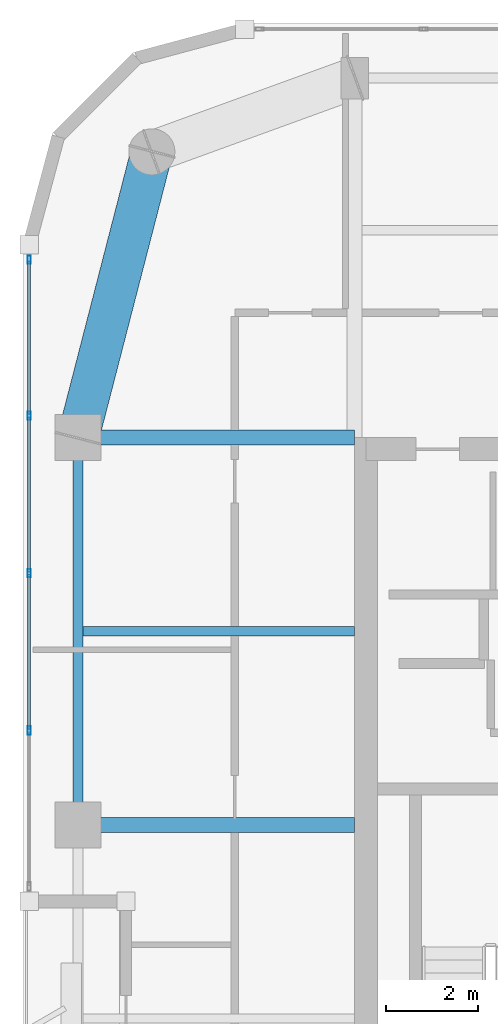
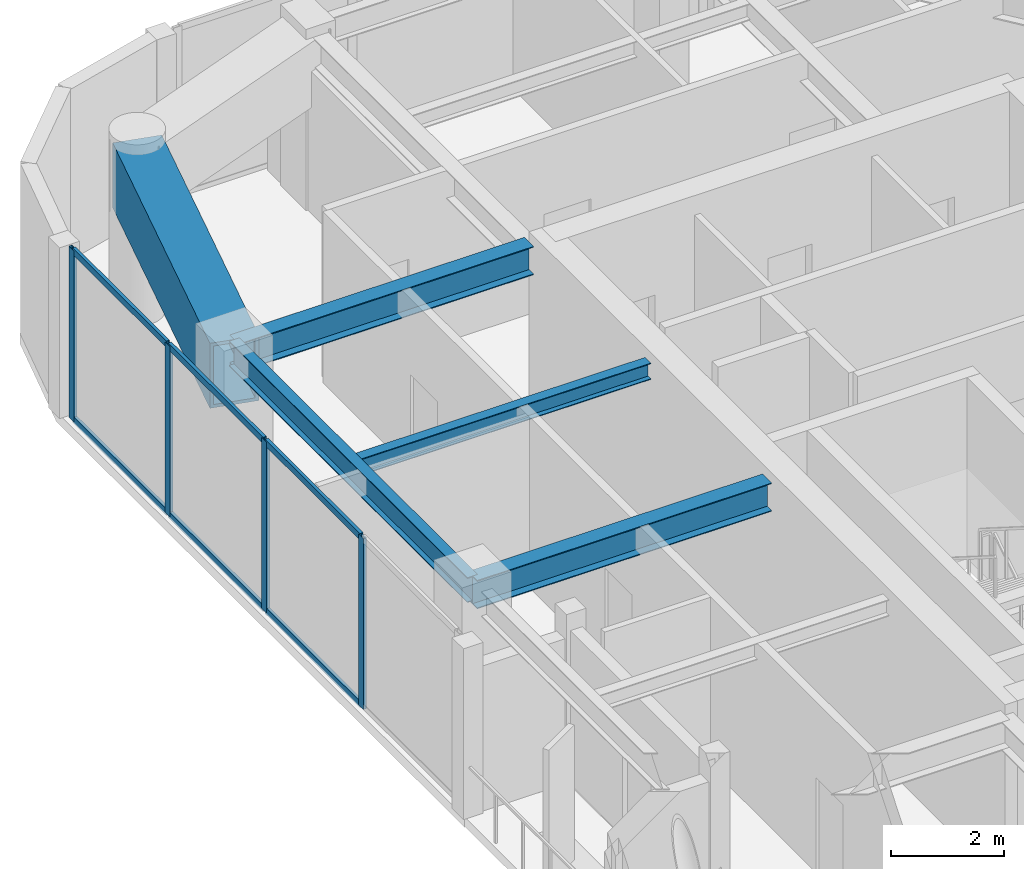
# One storey, part 4 of 15: 10 members, 5 beams, 1 element without a shape of its own.
"""IFC4 building model written with IfcOpenShell, lengths in metres."""

from ifc_helpers import new_model, si_unit, direction, frame, origin, origin_2d, place, context, subcontext, project, spatial, hollow_rectangle, i_section, extrude, material, layer, layer_set, material_profile, profile_set, type_object, element, aggregate, save


model = new_model("IFC4")

# Units and contexts
model_context = context("Model", 3, precision=1e-05, world=origin(), true_north=direction((0.0, 1.0)))
body_context = subcontext(model_context, "Body", "Model", "MODEL_VIEW")
ifc_project = project(units=[si_unit("LENGTHUNIT", "METRE"), si_unit("AREAUNIT", "SQUARE_METRE"), si_unit("VOLUMEUNIT", "CUBIC_METRE"), si_unit("PLANEANGLEUNIT", "RADIAN"), si_unit("MASSUNIT", "GRAM", prefix="KILO")], contexts=[model_context])

# Site, building, storey
site_placement = place(None, origin())
site = spatial("IfcSite", under=ifc_project, at=site_placement, CompositionType="ELEMENT")
building_placement = place(site_placement, origin())
building = spatial("IfcBuilding", under=site, at=building_placement, Name="Kiyonajd Concourse Tower", CompositionType="ELEMENT")
storey_placement = place(building_placement, frame((0.0, 0.0, 266.699951171875)))
storey = spatial("IfcBuildingStorey", under=building, at=storey_placement, Name="L67", CompositionType="ELEMENT", Elevation=266.699951171875)

# Beams
ifc_material_1 = material(Name="Steel ASTM A992 Grade 50", Category="steel")
ifc_material_profile_1 = material_profile(ifc_material_1, i_section(OverallWidth=0.205078125, OverallDepth=0.35400390625, WebThickness=0.009521484375, FlangeThickness=0.016845703125, at=origin_2d()), Name="W360X79")
ifc_profile_set_1 = profile_set([ifc_material_profile_1], Name="Steel ASTM A992 Grade 50")
beam_type_1 = type_object("IfcBeamType", Name="BM-JST-360", PredefinedType="JOIST", material=ifc_profile_set_1)
beam_1_placement = place(storey_placement, frame((26.505615234375, 40.199951171875, 3.5029296875), z_axis=(1.0, 0.0, 0.0), x_axis=(0.0, 1.0, 0.0)))
element("IfcBeam", 1, at=beam_1_placement, inside=storey, type_object=beam_type_1, Name="L67 West Secondary Floor Joist", PredefinedType="JOIST", context=body_context, shape_type="SweptSolid", body=[
    extrude(i_section(OverallWidth=0.205078125, OverallDepth=0.35400390625, WebThickness=0.009521484375, FlangeThickness=0.016845703125, at=origin_2d()), origin(), (0.0, 0.0, 1.0), 5.894287109375),
])
ifc_material_profile_2 = material_profile(ifc_material_1, i_section(OverallWidth=0.2109375, OverallDepth=0.5390625, WebThickness=0.01171875, FlangeThickness=0.018798828125, at=origin_2d()), Name="W530X109")
ifc_profile_set_2 = profile_set([ifc_material_profile_2], Name="Steel ASTM A992 Grade 50")
beam_type_2 = type_object("IfcBeamType", Name="BM-SPAN-530B", PredefinedType="SPANDREL", material=ifc_profile_set_2)
beam_2_placement = place(storey_placement, frame((26.39990234375, 44.39990234375, 3.41064453125), z_axis=(0.0, -1.0, 0.0), x_axis=(1.0, 0.0, 0.0)))
element("IfcBeam", 2, at=beam_2_placement, inside=storey, type_object=beam_type_2, Name="L67 Perimeter Bundled Tube Spandrel", PredefinedType="SPANDREL", context=body_context, shape_type="SweptSolid", body=[
    extrude(i_section(OverallWidth=0.2109375, OverallDepth=0.5390625, WebThickness=0.01171875, FlangeThickness=0.018798828125, at=origin_2d()), origin(), (0.0, 0.0, 1.0), 8.39990234375),
])
ifc_material_profile_3 = material_profile(ifc_material_1, i_section(OverallWidth=0.323974609375, OverallDepth=0.611083984375, WebThickness=0.0126953125, FlangeThickness=0.01904296875, at=origin_2d()), Name="W610X155")
ifc_profile_set_3 = profile_set([ifc_material_profile_3], Name="Steel ASTM A992 Grade 50")
beam_type_3 = type_object("IfcBeamType", Name="BM-TWR-610B", PredefinedType="BEAM", material=ifc_profile_set_3)
for number, where, z_axis, x_axis, name in (
    (3, (26.39990234375, 36.0, 3.37451171875), (1.0, 0.0, 0.0), (0.0, 1.0, 0.0), "L67 West Lease Girder"),
    (4, (26.39990234375, 44.39990234375, 3.37451171875), (1.0, 0.0, 0.0), (0.0, 1.0, 0.0), "L67 West Lease Girder"),
):
    element("IfcBeam", number, at=place(storey_placement, frame(where, z_axis=z_axis, x_axis=x_axis)), inside=storey, type_object=beam_type_3, Name=name, PredefinedType="BEAM", context=body_context, shape_type="SweptSolid", body=[
        extrude(i_section(OverallWidth=0.323974609375, OverallDepth=0.611083984375, WebThickness=0.0126953125, FlangeThickness=0.01904296875, at=origin_2d()), origin(), (0.0, 0.0, 1.0), 6.0),
    ])
ifc_material_2 = material(Name="Steel ASTM A572 Grade 50", Category="steel")
ifc_material_profile_4 = material_profile(ifc_material_2, hollow_rectangle(XDim=0.89990234375, YDim=1.39990234375, WallThickness=0.070068359375, at=origin_2d()), Name="BOX-1400x900x70")
ifc_profile_set_4 = profile_set([ifc_material_profile_4], Name="Steel ASTM A572 Grade 50")
beam_type_4 = type_object("IfcBeamType", Name="BM-XFER-1400", PredefinedType="BEAM", material=ifc_profile_set_4)
beam_3_placement = place(storey_placement, frame((28.0, 50.60009765625, 2.97998046875), z_axis=(-0.249884937687, -0.968275538221, 0.0), x_axis=(0.968275538221, -0.249884937687, 0.0)))
element("IfcBeam", 5, at=beam_3_placement, inside=storey, type_object=beam_type_4, Name="L67 Perimeter Bundled Tube Spandrel", PredefinedType="BEAM", context=body_context, shape_type="SweptSolid", body=[
    extrude(hollow_rectangle(XDim=0.89990234375, YDim=1.39990234375, WallThickness=0.070068359375, at=origin_2d()), origin(), (0.0, 0.0, 1.0), 6.4033203125),
])

# Curtain wall, members
ifc_material_3 = material(Name="Thermally Broken Anodised Aluminium", Category="aluminium")
ifc_layer = layer(ifc_material_3, 0.179931640625)
ifc_layer_set = layer_set([ifc_layer], Name="Thermally Broken Anodised Aluminium")
curtain_wall_type = type_object("IfcCurtainWallType", Name="CW-SYS-04", PredefinedType="NOTDEFINED", material=ifc_layer_set)
curtain_wall_placement = place(storey_placement, origin())
curtain_wall = element("IfcCurtainWall", 6, at=curtain_wall_placement, inside=storey, type_object=curtain_wall_type, Name="L67 Unitised Curtain Wall CW4", PredefinedType="NOTDEFINED")
ifc_material_profile_5 = material_profile(ifc_material_3, hollow_rectangle(XDim=0.06494140625, YDim=0.179931640625, WallThickness=0.00390625, at=origin_2d()), Name="MULL-65x180")
ifc_profile_set_5 = profile_set([ifc_material_profile_5], Name="Thermally Broken Anodised Aluminium")
member_type_1 = type_object("IfcMemberType", Name="MB-CW-MULL1", PredefinedType="MULLION", material=ifc_profile_set_5)
member_1_placement = place(storey_placement, frame((25.340087890625, 38.04541015625, 0.0), z_axis=(0.0, 0.0, 1.0), x_axis=(-1.0, 0.0, 0.0)))
member_1 = element("IfcMember", 7, at=member_1_placement, type_object=member_type_1, Name="CW4 mullion 2", PredefinedType="MULLION", context=body_context, shape_type="SweptSolid", body=[
    extrude(hollow_rectangle(XDim=0.06494140625, YDim=0.179931640625, WallThickness=0.00390625, at=origin_2d()), origin(), (0.0, 0.0, 1.0), 3.679931640625),
])
member_2_placement = place(storey_placement, frame((25.340087890625, 41.460693359375, 0.0), z_axis=(0.0, 0.0, 1.0), x_axis=(-1.0, 0.0, 0.0)))
member_2 = element("IfcMember", 8, at=member_2_placement, type_object=member_type_1, Name="CW4 mullion 3", PredefinedType="MULLION", context=body_context, shape_type="SweptSolid", body=[
    extrude(hollow_rectangle(XDim=0.06494140625, YDim=0.179931640625, WallThickness=0.00390625, at=origin_2d()), origin(), (0.0, 0.0, 1.0), 3.679931640625),
])
member_3_placement = place(storey_placement, frame((25.340087890625, 44.876220703125, 0.0), z_axis=(0.0, 0.0, 1.0), x_axis=(-1.0, 0.0, 0.0)))
member_3 = element("IfcMember", 9, at=member_3_placement, type_object=member_type_1, Name="CW4 mullion 4", PredefinedType="MULLION", context=body_context, shape_type="SweptSolid", body=[
    extrude(hollow_rectangle(XDim=0.06494140625, YDim=0.179931640625, WallThickness=0.00390625, at=origin_2d()), origin(), (0.0, 0.0, 1.0), 3.679931640625),
])
member_4_placement = place(storey_placement, frame((25.340087890625, 48.259033203125, 0.0), z_axis=(0.0, 0.0, 1.0), x_axis=(-1.0, 0.0, 0.0)))
member_4 = element("IfcMember", 10, at=member_4_placement, type_object=member_type_1, Name="CW4 mullion 5", PredefinedType="MULLION", context=body_context, shape_type="SweptSolid", body=[
    extrude(hollow_rectangle(XDim=0.06494140625, YDim=0.179931640625, WallThickness=0.00390625, at=origin_2d()), origin(), (0.0, 0.0, 1.0), 3.679931640625),
])
ifc_material_profile_6 = material_profile(ifc_material_3, hollow_rectangle(XDim=0.06494140625, YDim=0.139892578125, WallThickness=0.00390625, at=origin_2d()), Name="TRAN-65x140")
ifc_profile_set_6 = profile_set([ifc_material_profile_6], Name="Thermally Broken Anodised Aluminium")
member_type_2 = type_object("IfcMemberType", Name="MB-CW-TRAN1", PredefinedType="USERDEFINED", material=ifc_profile_set_6)
member_5_placement = place(storey_placement, frame((25.340087890625, 38.077880859375, 0.032470703125), z_axis=(0.0, 1.0, 0.0), x_axis=(-1.0, 0.0, 0.0)))
member_5 = element("IfcMember", 11, at=member_5_placement, type_object=member_type_2, Name="CW4 transom 2.1", ObjectType="TRANSOM", PredefinedType="USERDEFINED", context=body_context, shape_type="SweptSolid", body=[
    extrude(hollow_rectangle(XDim=0.06494140625, YDim=0.139892578125, WallThickness=0.00390625, at=origin_2d()), origin(), (0.0, 0.0, 1.0), 3.350341796875),
])
member_6_placement = place(storey_placement, frame((25.340087890625, 38.077880859375, 3.6474609375), z_axis=(0.0, 1.0, 0.0), x_axis=(-1.0, 0.0, 0.0)))
member_6 = element("IfcMember", 12, at=member_6_placement, type_object=member_type_2, Name="CW4 transom 2.2", ObjectType="TRANSOM", PredefinedType="USERDEFINED", context=body_context, shape_type="SweptSolid", body=[
    extrude(hollow_rectangle(XDim=0.06494140625, YDim=0.139892578125, WallThickness=0.00390625, at=origin_2d()), origin(), (0.0, 0.0, 1.0), 3.350341796875),
])
member_7_placement = place(storey_placement, frame((25.340087890625, 41.493408203125, 0.032470703125), z_axis=(0.0, 1.0, 0.0), x_axis=(-1.0, 0.0, 0.0)))
member_7 = element("IfcMember", 13, at=member_7_placement, type_object=member_type_2, Name="CW4 transom 3.1", ObjectType="TRANSOM", PredefinedType="USERDEFINED", context=body_context, shape_type="SweptSolid", body=[
    extrude(hollow_rectangle(XDim=0.06494140625, YDim=0.139892578125, WallThickness=0.00390625, at=origin_2d()), origin(), (0.0, 0.0, 1.0), 3.350341796875),
])
member_8_placement = place(storey_placement, frame((25.340087890625, 41.493408203125, 3.6474609375), z_axis=(0.0, 1.0, 0.0), x_axis=(-1.0, 0.0, 0.0)))
member_8 = element("IfcMember", 14, at=member_8_placement, type_object=member_type_2, Name="CW4 transom 3.2", ObjectType="TRANSOM", PredefinedType="USERDEFINED", context=body_context, shape_type="SweptSolid", body=[
    extrude(hollow_rectangle(XDim=0.06494140625, YDim=0.139892578125, WallThickness=0.00390625, at=origin_2d()), origin(), (0.0, 0.0, 1.0), 3.350341796875),
])
member_9_placement = place(storey_placement, frame((25.340087890625, 44.90869140625, 0.032470703125), z_axis=(0.0, 1.0, 0.0), x_axis=(-1.0, 0.0, 0.0)))
member_9 = element("IfcMember", 15, at=member_9_placement, type_object=member_type_2, Name="CW4 transom 4.1", ObjectType="TRANSOM", PredefinedType="USERDEFINED", context=body_context, shape_type="SweptSolid", body=[
    extrude(hollow_rectangle(XDim=0.06494140625, YDim=0.139892578125, WallThickness=0.00390625, at=origin_2d()), origin(), (0.0, 0.0, 1.0), 3.31787109375),
])
member_10_placement = place(storey_placement, frame((25.340087890625, 44.90869140625, 3.6474609375), z_axis=(0.0, 1.0, 0.0), x_axis=(-1.0, 0.0, 0.0)))
member_10 = element("IfcMember", 16, at=member_10_placement, type_object=member_type_2, Name="CW4 transom 4.2", ObjectType="TRANSOM", PredefinedType="USERDEFINED", context=body_context, shape_type="SweptSolid", body=[
    extrude(hollow_rectangle(XDim=0.06494140625, YDim=0.139892578125, WallThickness=0.00390625, at=origin_2d()), origin(), (0.0, 0.0, 1.0), 3.31787109375),
])
aggregate(curtain_wall, [member_1, member_2, member_3, member_4, member_5, member_6, member_7, member_8, member_9, member_10])

save(model, "model.ifc")
